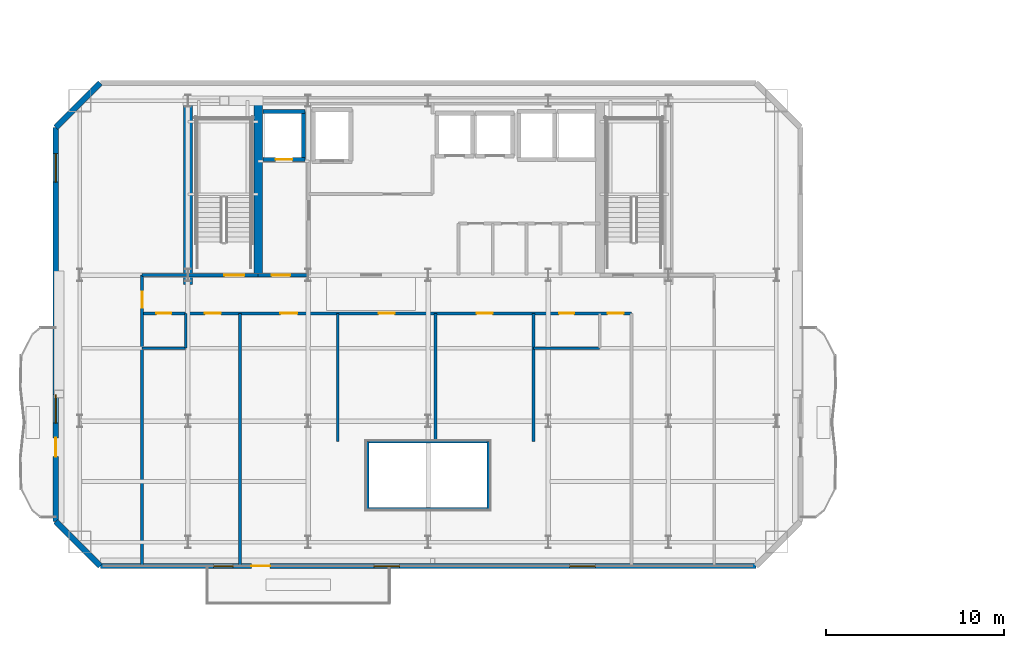
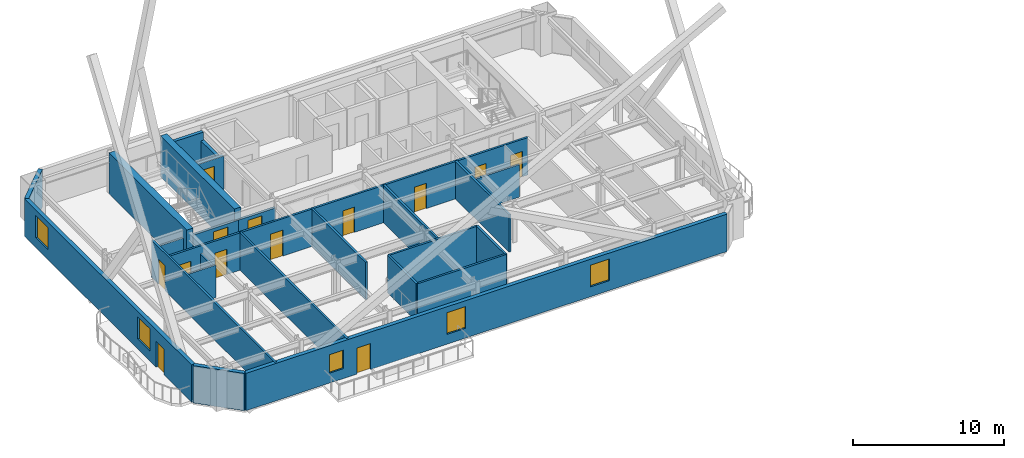
# One storey, part 10 of 19: 25 walls, 13 doors, 5 windows, 18 openings.
"""IFC4 building model written with IfcOpenShell, lengths in metres."""

from ifc_helpers import new_model, si_unit, direction, frame, frame_2d, origin, place, context, subcontext, project, spatial, rectangle, extrude, material, layer, layer_set, type_object, element, fill, save


model = new_model("IFC4")

# Units and contexts
model_context = context("Model", 3, precision=1e-05, world=origin(), true_north=direction((0.0, 1.0)))
body_context = subcontext(model_context, "Body", "Model", "MODEL_VIEW")
ifc_project = project(units=[si_unit("LENGTHUNIT", "METRE"), si_unit("AREAUNIT", "SQUARE_METRE"), si_unit("VOLUMEUNIT", "CUBIC_METRE"), si_unit("PLANEANGLEUNIT", "RADIAN"), si_unit("MASSUNIT", "GRAM", prefix="KILO")], contexts=[model_context])

# Site, building, storey
site_placement = place(None, origin())
site = spatial("IfcSite", under=ifc_project, at=site_placement, CompositionType="ELEMENT")
building_placement = place(site_placement, origin())
building = spatial("IfcBuilding", under=site, at=building_placement, Name="Haevon Station Towers", CompositionType="ELEMENT")
storey_placement = place(building_placement, frame((0.0, 0.0, 156.0)))
storey = spatial("IfcBuildingStorey", under=building, at=storey_placement, Name="L42", CompositionType="ELEMENT", Elevation=156.0)

# Wall, opening, door
ifc_material_1 = material(Name="Gypsum board on steel stud", Category="steel")
ifc_layer_1 = layer(ifc_material_1, 0.199951171875)
ifc_layer_set_1 = layer_set([ifc_layer_1], Name="Gypsum board on steel stud")
wall_type_1 = type_object("IfcWallType", Name="WL-COR200", PredefinedType="PARTITIONING", material=ifc_layer_set_1)
wall_1_placement = place(storey_placement, frame((24.0, 38.199951171875, 0.0), z_axis=(0.0, 0.0, 1.0), x_axis=(1.0, 0.0, 0.0)))
wall_1 = element("IfcWall", 1, at=wall_1_placement, inside=storey, type_object=wall_type_1, Name="WL-ST-ST1-L42", PredefinedType="PARTITIONING", context=body_context, shape_type="SweptSolid", body=[
    extrude(rectangle(XDim=3.949951171875, YDim=0.199951171875, at=frame_2d((1.97509765625, 0.0))), origin(), (0.0, 0.0, 1.0), 2.3798828125),
])
opening_1_placement = place(wall_1_placement, frame((2.050048828125, 0.0, 0.0)))
opening_1 = element("IfcOpeningElement", 2, at=opening_1_placement, cuts=wall_1, Name="Opening DR-ST-ST1-L42", PredefinedType="OPENING", context=body_context, shape_type="SweptSolid", body=[
    extrude(rectangle(XDim=1.1201171875, YDim=2.10009765625, at=frame_2d((0.56005859375, 1.050048828125))), frame((0.0, 0.10986328125, 0.0), z_axis=(0.0, -1.0, 0.0), x_axis=(1.0, 0.0, 0.0)), (0.0, 0.0, 1.0), 0.219970703125),
])
ifc_material_2 = material(Name="Engineered oak timber", Category="wood")
door_type_1 = type_object("IfcDoorType", Name="DR-ST-1120", OperationType="NOTDEFINED", PredefinedType="DOOR", material=ifc_material_2)
door_1_placement = place(opening_1_placement, origin())
door_1 = element("IfcDoor", 3, at=door_1_placement, inside=storey, type_object=door_type_1, Name="L42 Escape Stair ST1 Fire Door", OperationType="SINGLE_SWING_LEFT", OverallHeight=2.10009765625, OverallWidth=1.1201171875, PredefinedType="DOOR", context=body_context, shape_type="SweptSolid", body=[
    extrude(rectangle(XDim=1.1201171875, YDim=2.10009765625, at=frame_2d((0.56005859375, 1.050048828125))), frame((0.0, 0.02490234375, 0.0), z_axis=(0.0, -1.0, 0.0), x_axis=(1.0, 0.0, 0.0)), (0.0, 0.0, 1.0), 0.050048828125),
])
fill(opening_1, door_1)

wall_2_placement = place(storey_placement, frame((27.949951171875, 38.199951171875, 0.0), z_axis=(0.0, 0.0, 1.0), x_axis=(1.0, 0.0, 0.0)))
wall_2 = element("IfcWall", 4, at=wall_2_placement, inside=storey, type_object=wall_type_1, Name="WL-T1FFL-L42-S", PredefinedType="PARTITIONING", context=body_context, shape_type="SweptSolid", body=[
    extrude(rectangle(XDim=2.85009765625, YDim=0.199951171875, at=frame_2d((1.425048828125, 0.0))), origin(), (0.0, 0.0, 1.0), 2.3798828125),
])
opening_2_placement = place(wall_2_placement, frame((0.75, 0.0, 0.0)))
opening_2 = element("IfcOpeningElement", 5, at=opening_2_placement, cuts=wall_2, Name="Opening DR-T1FFL-L42-S", PredefinedType="OPENING", context=body_context, shape_type="SweptSolid", body=[
    extrude(rectangle(XDim=1.050048828125, YDim=2.10009765625, at=frame_2d((0.52490234375, 1.050048828125))), frame((0.0, 0.10986328125, 0.0), z_axis=(0.0, -1.0, 0.0), x_axis=(1.0, 0.0, 0.0)), (0.0, 0.0, 1.0), 0.219970703125),
])
door_type_2 = type_object("IfcDoorType", Name="DR-FD60-1050", OperationType="NOTDEFINED", PredefinedType="DOOR", material=ifc_material_2)
door_2_placement = place(opening_2_placement, origin())
door_2 = element("IfcDoor", 6, at=door_2_placement, inside=storey, type_object=door_type_2, Name="L42 Tower 1 Firefighting Lift Lobby Door S", OperationType="SINGLE_SWING_RIGHT", OverallHeight=2.10009765625, OverallWidth=1.050048828125, PredefinedType="DOOR", context=body_context, shape_type="SweptSolid", body=[
    extrude(rectangle(XDim=1.050048828125, YDim=2.10009765625, at=frame_2d((0.52490234375, 1.050048828125))), frame((0.0, 0.02490234375, 0.0), z_axis=(0.0, -1.0, 0.0), x_axis=(1.0, 0.0, 0.0)), (0.0, 0.0, 1.0), 0.050048828125),
])
fill(opening_2, door_2)

# Walls
ifc_material_3 = material(Name="Concrete C60/75", Category="concrete")
ifc_layer_2 = layer(ifc_material_3, 0.5)
ifc_layer_set_2 = layer_set([ifc_layer_2], Name="Concrete C60/75")
wall_type_2 = type_object("IfcWallType", Name="WL-CR500", PredefinedType="SHEAR", material=ifc_layer_set_2)
wall_3_placement = place(storey_placement, frame((24.0, 37.679931640625, 0.0), z_axis=(0.0, 0.0, 1.0), x_axis=(0.0, 1.0, 0.0)))
element("IfcWall", 7, at=wall_3_placement, inside=storey, type_object=wall_type_2, Name="WL-T1CR-L42-W", PredefinedType="SHEAR", context=body_context, shape_type="SweptSolid", body=[
    extrude(rectangle(XDim=10.320068359375, YDim=0.5, at=frame_2d((5.16015625, 0.0))), origin(), (0.0, 0.0, 1.0), 3.300048828125),
])
wall_4_placement = place(storey_placement, frame((27.949951171875, 38.199951171875, 0.0), z_axis=(0.0, 0.0, 1.0), x_axis=(0.0, 1.0, 0.0)))
element("IfcWall", 8, at=wall_4_placement, inside=storey, type_object=wall_type_2, Name="WL-T1CR-L42-M1", PredefinedType="SHEAR", context=body_context, shape_type="SweptSolid", body=[
    extrude(rectangle(XDim=9.800048828125, YDim=0.5, at=frame_2d((4.89990234375, 0.0))), origin(), (0.0, 0.0, 1.0), 3.300048828125),
])

# Wall, openings, door, windows
ifc_material_4 = material(Name="Precast concrete C45/55", Category="concrete")
ifc_layer_3 = layer(ifc_material_4, 0.300048828125)
ifc_layer_set_3 = layer_set([ifc_layer_3], Name="Precast concrete C45/55")
wall_type_3 = type_object("IfcWallType", Name="WL-EXT-PIER300", PredefinedType="SOLIDWALL", material=ifc_layer_set_3)
wall_5_placement = place(storey_placement, frame((55.925048828125, 21.85009765625, 0.0), z_axis=(0.0, 0.0, 1.0), x_axis=(-1.0, 0.0, 0.0)))
wall_5 = element("IfcWall", 9, at=wall_5_placement, inside=storey, type_object=wall_type_3, Name="WL-T1-L42-S", PredefinedType="SOLIDWALL", context=body_context, shape_type="SweptSolid", body=[
    extrude(rectangle(XDim=36.85009765625, YDim=0.300048828125, at=frame_2d((18.425048828125, 0.0))), origin(), (0.0, 0.0, 1.0), 3.030029296875),
])
opening_3_placement = place(wall_5_placement, frame((27.3056640625, 0.0, 0.0)))
opening_3 = element("IfcOpeningElement", 10, at=opening_3_placement, cuts=wall_5, Name="Opening DR-T1-PBAND-L42-1", PredefinedType="OPENING", context=body_context, shape_type="SweptSolid", body=[
    extrude(rectangle(XDim=1.050048828125, YDim=2.10009765625, at=frame_2d((0.52490234375, 1.050048828125))), frame((0.0, 0.159912109375, 0.0), z_axis=(0.0, -1.0, 0.0), x_axis=(1.0, 0.0, 0.0)), (0.0, 0.0, 1.0), 0.320068359375),
])
opening_4_placement = place(wall_5_placement, frame((29.381103515625, 0.0, 0.800048828125)))
opening_4 = element("IfcOpeningElement", 11, at=opening_4_placement, cuts=wall_5, Name="Opening WN-COR110", PredefinedType="OPENING", context=body_context, shape_type="SweptSolid", body=[
    extrude(rectangle(XDim=1.10009765625, YDim=1.5, at=frame_2d((0.550048828125, 0.75))), frame((0.0, 0.159912109375, 0.0), z_axis=(0.0, -1.0, 0.0), x_axis=(1.0, 0.0, 0.0)), (0.0, 0.0, 1.0), 0.320068359375),
])
opening_5_placement = place(wall_5_placement, frame((20.027587890625, 0.0, 0.800048828125)))
opening_5 = element("IfcOpeningElement", 12, at=opening_5_placement, cuts=wall_5, Name="Opening WN-P145", PredefinedType="OPENING", context=body_context, shape_type="SweptSolid", body=[
    extrude(rectangle(XDim=1.449951171875, YDim=1.75, at=frame_2d((0.72509765625, 0.875))), frame((0.0, 0.159912109375, 0.0), z_axis=(0.0, -1.0, 0.0), x_axis=(1.0, 0.0, 0.0)), (0.0, 0.0, 1.0), 0.320068359375),
])
opening_6_placement = place(wall_5_placement, frame((9.029541015625, 0.0, 0.800048828125)))
opening_6 = element("IfcOpeningElement", 13, at=opening_6_placement, cuts=wall_5, Name="Opening WN-P145", PredefinedType="OPENING", context=body_context, shape_type="SweptSolid", body=[
    extrude(rectangle(XDim=1.449951171875, YDim=1.75, at=frame_2d((0.72509765625, 0.875))), frame((0.0, 0.159912109375, 0.0), z_axis=(0.0, -1.0, 0.0), x_axis=(1.0, 0.0, 0.0)), (0.0, 0.0, 1.0), 0.320068359375),
])
ifc_material_5 = material(Name="Thermally broken anodised aluminium and laminated safety glass", Category="aluminium")
door_type_3 = type_object("IfcDoorType", Name="DR-BALC-1050", OperationType="NOTDEFINED", PredefinedType="DOOR", material=ifc_material_5)
door_3_placement = place(opening_3_placement, origin())
door_3 = element("IfcDoor", 14, at=door_3_placement, inside=storey, type_object=door_type_3, Name="Tower 1 L42 Balcony Terrace Door", OperationType="SINGLE_SWING_RIGHT", OverallHeight=2.10009765625, OverallWidth=1.050048828125, PredefinedType="DOOR", context=body_context, shape_type="SweptSolid", body=[
    extrude(rectangle(XDim=1.050048828125, YDim=2.10009765625, at=frame_2d((0.52490234375, 1.050048828125))), frame((0.0, 0.02490234375, 0.0), z_axis=(0.0, -1.0, 0.0), x_axis=(1.0, 0.0, 0.0)), (0.0, 0.0, 1.0), 0.050048828125),
])
fill(opening_3, door_3)
ifc_material_6 = material(Name="Low-E triple glazing in thermally broken aluminium", Category="aluminium")
window_type_1 = type_object("IfcWindowType", Name="WN-COR110", PartitioningType="SINGLE_PANEL", PredefinedType="WINDOW", material=ifc_material_6)
window_1_placement = place(opening_4_placement, origin())
window_1 = element("IfcWindow", 15, at=window_1_placement, inside=storey, type_object=window_type_1, Name="WN-T1-L42-S01", OverallHeight=1.5, OverallWidth=1.10009765625, PartitioningType="SINGLE_PANEL", PredefinedType="WINDOW", context=body_context, shape_type="SweptSolid", body=[
    extrude(rectangle(XDim=1.10009765625, YDim=1.5, at=frame_2d((0.550048828125, 0.75))), frame((0.0, 0.030029296875, 0.0), z_axis=(0.0, -1.0, 0.0), x_axis=(1.0, 0.0, 0.0)), (0.0, 0.0, 1.0), 0.06005859375),
])
fill(opening_4, window_1)
window_type_2 = type_object("IfcWindowType", Name="WN-P145", PartitioningType="SINGLE_PANEL", PredefinedType="WINDOW", material=ifc_material_6)
window_2_placement = place(opening_5_placement, origin())
window_2 = element("IfcWindow", 16, at=window_2_placement, inside=storey, type_object=window_type_2, Name="WN-T1-L42-S02", OverallHeight=1.75, OverallWidth=1.449951171875, PartitioningType="SINGLE_PANEL", PredefinedType="WINDOW", context=body_context, shape_type="SweptSolid", body=[
    extrude(rectangle(XDim=1.449951171875, YDim=1.75, at=frame_2d((0.72509765625, 0.875))), frame((0.0, 0.030029296875, 0.0), z_axis=(0.0, -1.0, 0.0), x_axis=(1.0, 0.0, 0.0)), (0.0, 0.0, 1.0), 0.06005859375),
])
fill(opening_5, window_2)
window_3_placement = place(opening_6_placement, origin())
window_3 = element("IfcWindow", 17, at=window_3_placement, inside=storey, type_object=window_type_2, Name="WN-T1-L42-S03", OverallHeight=1.75, OverallWidth=1.449951171875, PartitioningType="SINGLE_PANEL", PredefinedType="WINDOW", context=body_context, shape_type="SweptSolid", body=[
    extrude(rectangle(XDim=1.449951171875, YDim=1.75, at=frame_2d((0.72509765625, 0.875))), frame((0.0, 0.030029296875, 0.0), z_axis=(0.0, -1.0, 0.0), x_axis=(1.0, 0.0, 0.0)), (0.0, 0.0, 1.0), 0.06005859375),
])
fill(opening_6, window_3)

# Wall
wall_6_placement = place(storey_placement, frame((19.074951171875, 21.85009765625, 0.0), z_axis=(0.0, 0.0, 1.0), x_axis=(-0.707106781187, 0.707106781187, 0.0)))
element("IfcWall", 18, at=wall_6_placement, inside=storey, type_object=wall_type_3, Name="WL-T1-L42-SWC", PredefinedType="SOLIDWALL", context=body_context, shape_type="SweptSolid", body=[
    extrude(rectangle(XDim=3.53564453125, YDim=0.300048828125, at=frame_2d((1.767822265625, 0.0))), origin(), (0.0, 0.0, 1.0), 3.030029296875),
])

# Wall, openings, door, windows
wall_7_placement = place(storey_placement, frame((16.574951171875, 24.35009765625, 0.0), z_axis=(0.0, 0.0, 1.0), x_axis=(0.0, 1.0, 0.0)))
wall_7 = element("IfcWall", 19, at=wall_7_placement, inside=storey, type_object=wall_type_3, Name="WL-T1-L42-W", PredefinedType="SOLIDWALL", context=body_context, shape_type="SweptSolid", body=[
    extrude(rectangle(XDim=22.14990234375, YDim=0.300048828125, at=frame_2d((11.074951171875, 0.0))), origin(), (0.0, 0.0, 1.0), 3.030029296875),
])
opening_7_placement = place(wall_7_placement, frame((3.64990234375, 0.0, 0.0)))
opening_7 = element("IfcOpeningElement", 20, at=opening_7_placement, cuts=wall_7, Name="Opening DR-T1-SCAL-L42-W", PredefinedType="OPENING", context=body_context, shape_type="SweptSolid", body=[
    extrude(rectangle(XDim=1.050048828125, YDim=2.10009765625, at=frame_2d((0.52490234375, 1.050048828125))), frame((0.0, 0.159912109375, 0.0), z_axis=(0.0, -1.0, 0.0), x_axis=(1.0, 0.0, 0.0)), (0.0, 0.0, 1.0), 0.320068359375),
])
opening_8_placement = place(wall_7_placement, frame((5.53759765625, 0.0, 0.800048828125)))
opening_8 = element("IfcOpeningElement", 21, at=opening_8_placement, cuts=wall_7, Name="Opening WN-END160", PredefinedType="OPENING", context=body_context, shape_type="SweptSolid", body=[
    extrude(rectangle(XDim=1.60009765625, YDim=1.800048828125, at=frame_2d((0.800048828125, 0.89990234375))), frame((0.0, 0.159912109375, 0.0), z_axis=(0.0, -1.0, 0.0), x_axis=(1.0, 0.0, 0.0)), (0.0, 0.0, 1.0), 0.320068359375),
])
opening_9_placement = place(wall_7_placement, frame((19.0732421875, 0.0, 0.800048828125)))
opening_9 = element("IfcOpeningElement", 22, at=opening_9_placement, cuts=wall_7, Name="Opening WN-END160", PredefinedType="OPENING", context=body_context, shape_type="SweptSolid", body=[
    extrude(rectangle(XDim=1.60009765625, YDim=1.800048828125, at=frame_2d((0.800048828125, 0.89990234375))), frame((0.0, 0.159912109375, 0.0), z_axis=(0.0, -1.0, 0.0), x_axis=(1.0, 0.0, 0.0)), (0.0, 0.0, 1.0), 0.320068359375),
])
door_4_placement = place(opening_7_placement, origin())
door_4 = element("IfcDoor", 23, at=door_4_placement, inside=storey, type_object=door_type_3, Name="Tower 1 L42 West Scalloped Balcony Door", OperationType="SINGLE_SWING_LEFT", OverallHeight=2.10009765625, OverallWidth=1.050048828125, PredefinedType="DOOR", context=body_context, shape_type="SweptSolid", body=[
    extrude(rectangle(XDim=1.050048828125, YDim=2.10009765625, at=frame_2d((0.52490234375, 1.050048828125))), frame((0.0, 0.02490234375, 0.0), z_axis=(0.0, -1.0, 0.0), x_axis=(1.0, 0.0, 0.0)), (0.0, 0.0, 1.0), 0.050048828125),
])
fill(opening_7, door_4)
window_type_3 = type_object("IfcWindowType", Name="WN-END160", PartitioningType="SINGLE_PANEL", PredefinedType="WINDOW", material=ifc_material_6)
window_4_placement = place(opening_8_placement, origin())
window_4 = element("IfcWindow", 24, at=window_4_placement, inside=storey, type_object=window_type_3, Name="WN-T1-L42-W01", OverallHeight=1.800048828125, OverallWidth=1.60009765625, PartitioningType="SINGLE_PANEL", PredefinedType="WINDOW", context=body_context, shape_type="SweptSolid", body=[
    extrude(rectangle(XDim=1.60009765625, YDim=1.800048828125, at=frame_2d((0.800048828125, 0.89990234375))), frame((0.0, 0.030029296875, 0.0), z_axis=(0.0, -1.0, 0.0), x_axis=(1.0, 0.0, 0.0)), (0.0, 0.0, 1.0), 0.06005859375),
])
fill(opening_8, window_4)
window_5_placement = place(opening_9_placement, origin())
window_5 = element("IfcWindow", 25, at=window_5_placement, inside=storey, type_object=window_type_3, Name="WN-T1-L42-W02", OverallHeight=1.800048828125, OverallWidth=1.60009765625, PartitioningType="SINGLE_PANEL", PredefinedType="WINDOW", context=body_context, shape_type="SweptSolid", body=[
    extrude(rectangle(XDim=1.60009765625, YDim=1.800048828125, at=frame_2d((0.800048828125, 0.89990234375))), frame((0.0, 0.030029296875, 0.0), z_axis=(0.0, -1.0, 0.0), x_axis=(1.0, 0.0, 0.0)), (0.0, 0.0, 1.0), 0.06005859375),
])
fill(opening_9, window_5)

# Walls
wall_8_placement = place(storey_placement, frame((16.574951171875, 46.5, 0.0), z_axis=(0.0, 0.0, 1.0), x_axis=(0.707106781187, 0.707106781187, 0.0)))
element("IfcWall", 26, at=wall_8_placement, inside=storey, type_object=wall_type_3, Name="WL-T1-L42-NWC", PredefinedType="SOLIDWALL", context=body_context, shape_type="SweptSolid", body=[
    extrude(rectangle(XDim=3.53564453125, YDim=0.300048828125, at=frame_2d((1.767822265625, 0.0))), origin(), (0.0, 0.0, 1.0), 3.030029296875),
])
ifc_layer_4 = layer(ifc_material_1, 0.125)
ifc_layer_set_4 = layer_set([ifc_layer_4], Name="Gypsum board on steel stud")
wall_type_4 = type_object("IfcWallType", Name="WL-PRT125", PredefinedType="PARTITIONING", material=ifc_layer_set_4)
wall_9_placement = place(storey_placement, frame((23.875, 34.10009765625, 0.0), z_axis=(0.0, 0.0, 1.0), x_axis=(0.0, 1.0, 0.0)))
element("IfcWall", 27, at=wall_9_placement, inside=storey, type_object=wall_type_4, Name="WL-T1PT-L42-11", PredefinedType="PARTITIONING", context=body_context, shape_type="SweptSolid", body=[
    extrude(rectangle(XDim=1.949951171875, YDim=0.125, at=frame_2d((0.97509765625, 0.0))), origin(), (0.0, 0.0, 1.0), 2.3798828125),
])
ifc_layer_5 = layer(ifc_material_1, 0.139892578125)
ifc_layer_set_5 = layer_set([ifc_layer_5], Name="Gypsum board on steel stud")
wall_type_5 = type_object("IfcWallType", Name="WL-PRT140", PredefinedType="PARTITIONING", material=ifc_layer_set_5)
wall_10_placement = place(storey_placement, frame((21.425048828125, 34.10009765625, 0.0), z_axis=(0.0, 0.0, 1.0), x_axis=(1.0, 0.0, 0.0)))
element("IfcWall", 28, at=wall_10_placement, inside=storey, type_object=wall_type_5, Name="WL-T1PT-L42-10", PredefinedType="PARTITIONING", context=body_context, shape_type="SweptSolid", body=[
    extrude(rectangle(XDim=2.449951171875, YDim=0.139892578125, at=frame_2d((1.22509765625, 0.0))), origin(), (0.0, 0.0, 1.0), 2.6298828125),
])
wall_11_placement = place(storey_placement, frame((43.4208984375, 34.10009765625, 0.0), z_axis=(0.0, 0.0, 1.0), x_axis=(1.0, 0.0, 0.0)))
element("IfcWall", 29, at=wall_11_placement, inside=storey, type_object=wall_type_5, Name="WL-T1PT-L42-18", PredefinedType="PARTITIONING", context=body_context, shape_type="SweptSolid", body=[
    extrude(rectangle(XDim=3.718994140625, YDim=0.139892578125, at=frame_2d((1.859375, 0.0))), origin(), (0.0, 0.0, 1.0), 2.6298828125),
])
ifc_layer_6 = layer(ifc_material_1, 0.159912109375)
ifc_layer_set_6 = layer_set([ifc_layer_6], Name="Gypsum board on steel stud")
wall_type_6 = type_object("IfcWallType", Name="WL-PRT160", PredefinedType="PARTITIONING", material=ifc_layer_set_6)
wall_12_placement = place(storey_placement, frame((21.425048828125, 38.199951171875, 0.0), z_axis=(0.0, 0.0, 1.0), x_axis=(1.0, 0.0, 0.0)))
element("IfcWall", 30, at=wall_12_placement, inside=storey, type_object=wall_type_6, Name="WL-T1PT-L42-02", PredefinedType="PARTITIONING", context=body_context, shape_type="SweptSolid", body=[
    extrude(rectangle(XDim=2.574951171875, YDim=0.159912109375, at=frame_2d((1.28759765625, 0.0))), origin(), (0.0, 0.0, 1.0), 2.3798828125),
])

# Wall, opening, door
wall_13_placement = place(storey_placement, frame((21.425048828125, 21.85009765625, 0.0), z_axis=(0.0, 0.0, 1.0), x_axis=(0.0, 1.0, 0.0)))
wall_13 = element("IfcWall", 31, at=wall_13_placement, inside=storey, type_object=wall_type_6, Name="WL-T1PT-L42-04", PredefinedType="PARTITIONING", context=body_context, shape_type="SweptSolid", body=[
    extrude(rectangle(XDim=16.349853515625, YDim=0.159912109375, at=frame_2d((8.1748046875, 0.0))), origin(), (0.0, 0.0, 1.0), 3.030029296875),
])
opening_10_placement = place(wall_13_placement, frame((14.52001953125, 0.0, 0.0)))
opening_10 = element("IfcOpeningElement", 32, at=opening_10_placement, cuts=wall_13, Name="Opening DR-WL-T1PT-L42-04-01", PredefinedType="OPENING", context=body_context, shape_type="SweptSolid", body=[
    extrude(rectangle(XDim=0.89990234375, YDim=2.050048828125, at=frame_2d((0.449951171875, 1.02490234375))), frame((0.0, 0.08984375, 0.0), z_axis=(0.0, -1.0, 0.0), x_axis=(1.0, 0.0, 0.0)), (0.0, 0.0, 1.0), 0.179931640625),
])
door_type_4 = type_object("IfcDoorType", Name="DR-INT-900", OperationType="NOTDEFINED", PredefinedType="DOOR", material=ifc_material_2)
door_5_placement = place(opening_10_placement, origin())
door_5 = element("IfcDoor", 33, at=door_5_placement, inside=storey, type_object=door_type_4, Name="L42 Tower 1 Room Door 4-1", OperationType="SINGLE_SWING_RIGHT", OverallHeight=2.050048828125, OverallWidth=0.89990234375, PredefinedType="DOOR", context=body_context, shape_type="SweptSolid", body=[
    extrude(rectangle(XDim=0.89990234375, YDim=2.050048828125, at=frame_2d((0.449951171875, 1.02490234375))), frame((0.0, 0.02490234375, 0.0), z_axis=(0.0, -1.0, 0.0), x_axis=(1.0, 0.0, 0.0)), (0.0, 0.0, 1.0), 0.050048828125),
])
fill(opening_10, door_5)

# Walls
for number, where, z_axis, x_axis, name in (
    (34, (34.10009765625, 25.050048828125, 0.0), (0.0, 0.0, 1.0), (1.0, 0.0, 0.0), "WL-T1PT-L42-06"),
    (35, (34.10009765625, 28.85009765625, 0.0), (0.0, 0.0, 1.0), (1.0, 0.0, 0.0), "WL-T1PT-L42-07"),
):
    element("IfcWall", number, at=place(storey_placement, frame(where, z_axis=z_axis, x_axis=x_axis)), inside=storey, type_object=wall_type_6, Name=name, PredefinedType="PARTITIONING", context=body_context, shape_type="SweptSolid", body=[
        extrude(rectangle(XDim=6.7998046875, YDim=0.159912109375, at=frame_2d((3.39990234375, 0.0))), origin(), (0.0, 0.0, 1.0), 3.030029296875),
    ])
for number, where, z_axis, x_axis, name in (
    (36, (34.10009765625, 25.050048828125, 0.0), (0.0, 0.0, 1.0), (0.0, 1.0, 0.0), "WL-T1PT-L42-08"),
    (37, (40.89990234375, 25.050048828125, 0.0), (0.0, 0.0, 1.0), (0.0, 1.0, 0.0), "WL-T1PT-L42-09"),
):
    element("IfcWall", number, at=place(storey_placement, frame(where, z_axis=z_axis, x_axis=x_axis)), inside=storey, type_object=wall_type_6, Name=name, PredefinedType="PARTITIONING", context=body_context, shape_type="SweptSolid", body=[
        extrude(rectangle(XDim=3.800048828125, YDim=0.159912109375, at=frame_2d((1.89990234375, 0.0))), origin(), (0.0, 0.0, 1.0), 3.030029296875),
    ])
wall_14_placement = place(storey_placement, frame((26.924072265625, 21.85009765625, 0.0), z_axis=(0.0, 0.0, 1.0), x_axis=(0.0, 1.0, 0.0)))
element("IfcWall", 38, at=wall_14_placement, inside=storey, type_object=wall_type_6, Name="WL-T1PT-L42-12", PredefinedType="PARTITIONING", context=body_context, shape_type="SweptSolid", body=[
    extrude(rectangle(XDim=14.199951171875, YDim=0.159912109375, at=frame_2d((7.10009765625, 0.0))), origin(), (0.0, 0.0, 1.0), 3.030029296875),
])
for number, where, z_axis, x_axis, name in (
    (39, (32.423095703125, 28.85009765625, 0.0), (0.0, 0.0, 1.0), (0.0, 1.0, 0.0), "WL-T1PT-L42-13"),
    (40, (37.922119140625, 28.85009765625, 0.0), (0.0, 0.0, 1.0), (0.0, 1.0, 0.0), "WL-T1PT-L42-14"),
    (41, (43.4208984375, 28.85009765625, 0.0), (0.0, 0.0, 1.0), (0.0, 1.0, 0.0), "WL-T1PT-L42-16"),
):
    element("IfcWall", number, at=place(storey_placement, frame(where, z_axis=z_axis, x_axis=x_axis)), inside=storey, type_object=wall_type_6, Name=name, PredefinedType="PARTITIONING", context=body_context, shape_type="SweptSolid", body=[
        extrude(rectangle(XDim=7.199951171875, YDim=0.159912109375, at=frame_2d((3.60009765625, 0.0))), origin(), (0.0, 0.0, 1.0), 3.030029296875),
    ])

# Wall, openings, doors
wall_15_placement = place(storey_placement, frame((21.425048828125, 36.050048828125, 0.0), z_axis=(0.0, 0.0, 1.0), x_axis=(1.0, 0.0, 0.0)))
wall_15 = element("IfcWall", 42, at=wall_15_placement, inside=storey, type_object=wall_type_6, Name="WL-T1PT-L42-20", PredefinedType="PARTITIONING", context=body_context, shape_type="SweptSolid", body=[
    extrude(rectangle(XDim=27.494873046875, YDim=0.159912109375, at=frame_2d((13.74755859375, 0.0))), origin(), (0.0, 0.0, 1.0), 3.030029296875),
])
opening_11_placement = place(wall_15_placement, frame((0.800048828125, 0.0, 0.0)))
opening_11 = element("IfcOpeningElement", 43, at=opening_11_placement, cuts=wall_15, Name="Opening DR-WL-T1PT-L42-20-01", PredefinedType="OPENING", context=body_context, shape_type="SweptSolid", body=[
    extrude(rectangle(XDim=0.85009765625, YDim=2.050048828125, at=frame_2d((0.425048828125, 1.02490234375))), frame((0.0, 0.08984375, 0.0), z_axis=(0.0, -1.0, 0.0), x_axis=(1.0, 0.0, 0.0)), (0.0, 0.0, 1.0), 0.179931640625),
])
opening_12_placement = place(wall_15_placement, frame((3.52392578125, 0.0, 0.0)))
opening_12 = element("IfcOpeningElement", 44, at=opening_12_placement, cuts=wall_15, Name="Opening DR-WL-T1PT-L42-20-02", PredefinedType="OPENING", context=body_context, shape_type="SweptSolid", body=[
    extrude(rectangle(XDim=0.89990234375, YDim=2.050048828125, at=frame_2d((0.449951171875, 1.02490234375))), frame((0.0, 0.08984375, 0.0), z_axis=(0.0, -1.0, 0.0), x_axis=(1.0, 0.0, 0.0)), (0.0, 0.0, 1.0), 0.179931640625),
])
opening_13_placement = place(wall_15_placement, frame((7.77392578125, 0.0, 0.0)))
opening_13 = element("IfcOpeningElement", 45, at=opening_13_placement, cuts=wall_15, Name="Opening DR-WL-T1PT-L42-20-03", PredefinedType="OPENING", context=body_context, shape_type="SweptSolid", body=[
    extrude(rectangle(XDim=0.949951171875, YDim=2.10009765625, at=frame_2d((0.47509765625, 1.050048828125))), frame((0.0, 0.08984375, 0.0), z_axis=(0.0, -1.0, 0.0), x_axis=(1.0, 0.0, 0.0)), (0.0, 0.0, 1.0), 0.179931640625),
])
opening_14_placement = place(wall_15_placement, frame((13.297119140625, 0.0, 0.0)))
opening_14 = element("IfcOpeningElement", 46, at=opening_14_placement, cuts=wall_15, Name="Opening DR-WL-T1PT-L42-20-04", PredefinedType="OPENING", context=body_context, shape_type="SweptSolid", body=[
    extrude(rectangle(XDim=0.89990234375, YDim=2.050048828125, at=frame_2d((0.449951171875, 1.02490234375))), frame((0.0, 0.08984375, 0.0), z_axis=(0.0, -1.0, 0.0), x_axis=(1.0, 0.0, 0.0)), (0.0, 0.0, 1.0), 0.179931640625),
])
opening_15_placement = place(wall_15_placement, frame((18.7958984375, 0.0, 0.0)))
opening_15 = element("IfcOpeningElement", 47, at=opening_15_placement, cuts=wall_15, Name="Opening DR-WL-T1PT-L42-20-05", PredefinedType="OPENING", context=body_context, shape_type="SweptSolid", body=[
    extrude(rectangle(XDim=0.89990234375, YDim=2.050048828125, at=frame_2d((0.449951171875, 1.02490234375))), frame((0.0, 0.08984375, 0.0), z_axis=(0.0, -1.0, 0.0), x_axis=(1.0, 0.0, 0.0)), (0.0, 0.0, 1.0), 0.179931640625),
])
opening_16_placement = place(wall_15_placement, frame((23.430908203125, 0.0, 0.0)))
opening_16 = element("IfcOpeningElement", 48, at=opening_16_placement, cuts=wall_15, Name="Opening DR-WL-T1PT-L42-20-06", PredefinedType="OPENING", context=body_context, shape_type="SweptSolid", body=[
    extrude(rectangle(XDim=0.85009765625, YDim=2.050048828125, at=frame_2d((0.425048828125, 1.02490234375))), frame((0.0, 0.08984375, 0.0), z_axis=(0.0, -1.0, 0.0), x_axis=(1.0, 0.0, 0.0)), (0.0, 0.0, 1.0), 0.179931640625),
])
opening_17_placement = place(wall_15_placement, frame((26.155029296875, 0.0, 0.0)))
opening_17 = element("IfcOpeningElement", 49, at=opening_17_placement, cuts=wall_15, Name="Opening DR-WL-T1PT-L42-20-07", PredefinedType="OPENING", context=body_context, shape_type="SweptSolid", body=[
    extrude(rectangle(XDim=0.89990234375, YDim=2.050048828125, at=frame_2d((0.449951171875, 1.02490234375))), frame((0.0, 0.08984375, 0.0), z_axis=(0.0, -1.0, 0.0), x_axis=(1.0, 0.0, 0.0)), (0.0, 0.0, 1.0), 0.179931640625),
])
door_type_5 = type_object("IfcDoorType", Name="DR-FD30-850", OperationType="NOTDEFINED", PredefinedType="DOOR", material=ifc_material_2)
door_6_placement = place(opening_11_placement, origin())
door_6 = element("IfcDoor", 50, at=door_6_placement, inside=storey, type_object=door_type_5, Name="L42 Tower 1 Room Door 20-1", OperationType="SINGLE_SWING_RIGHT", OverallHeight=2.050048828125, OverallWidth=0.85009765625, PredefinedType="DOOR", context=body_context, shape_type="SweptSolid", body=[
    extrude(rectangle(XDim=0.85009765625, YDim=2.050048828125, at=frame_2d((0.425048828125, 1.02490234375))), frame((0.0, 0.02490234375, 0.0), z_axis=(0.0, -1.0, 0.0), x_axis=(1.0, 0.0, 0.0)), (0.0, 0.0, 1.0), 0.050048828125),
])
fill(opening_11, door_6)
door_7_placement = place(opening_16_placement, origin())
door_7 = element("IfcDoor", 51, at=door_7_placement, inside=storey, type_object=door_type_5, Name="L42 Tower 1 Room Door 20-6", OperationType="SINGLE_SWING_LEFT", OverallHeight=2.050048828125, OverallWidth=0.85009765625, PredefinedType="DOOR", context=body_context, shape_type="SweptSolid", body=[
    extrude(rectangle(XDim=0.85009765625, YDim=2.050048828125, at=frame_2d((0.425048828125, 1.02490234375))), frame((0.0, 0.02490234375, 0.0), z_axis=(0.0, -1.0, 0.0), x_axis=(1.0, 0.0, 0.0)), (0.0, 0.0, 1.0), 0.050048828125),
])
fill(opening_16, door_7)
door_type_6 = type_object("IfcDoorType", Name="DR-FD30-950", OperationType="NOTDEFINED", PredefinedType="DOOR", material=ifc_material_2)
door_8_placement = place(opening_13_placement, origin())
door_8 = element("IfcDoor", 52, at=door_8_placement, inside=storey, type_object=door_type_6, Name="L42 Tower 1 Room Door 20-3", OperationType="SINGLE_SWING_RIGHT", OverallHeight=2.10009765625, OverallWidth=0.949951171875, PredefinedType="DOOR", context=body_context, shape_type="SweptSolid", body=[
    extrude(rectangle(XDim=0.949951171875, YDim=2.10009765625, at=frame_2d((0.47509765625, 1.050048828125))), frame((0.0, 0.02490234375, 0.0), z_axis=(0.0, -1.0, 0.0), x_axis=(1.0, 0.0, 0.0)), (0.0, 0.0, 1.0), 0.050048828125),
])
fill(opening_13, door_8)
door_9_placement = place(opening_12_placement, origin())
door_9 = element("IfcDoor", 53, at=door_9_placement, inside=storey, type_object=door_type_4, Name="L42 Tower 1 Room Door 20-2", OperationType="SINGLE_SWING_LEFT", OverallHeight=2.050048828125, OverallWidth=0.89990234375, PredefinedType="DOOR", context=body_context, shape_type="SweptSolid", body=[
    extrude(rectangle(XDim=0.89990234375, YDim=2.050048828125, at=frame_2d((0.449951171875, 1.02490234375))), frame((0.0, 0.02490234375, 0.0), z_axis=(0.0, -1.0, 0.0), x_axis=(1.0, 0.0, 0.0)), (0.0, 0.0, 1.0), 0.050048828125),
])
fill(opening_12, door_9)
door_10_placement = place(opening_14_placement, origin())
door_10 = element("IfcDoor", 54, at=door_10_placement, inside=storey, type_object=door_type_4, Name="L42 Tower 1 Room Door 20-4", OperationType="SINGLE_SWING_LEFT", OverallHeight=2.050048828125, OverallWidth=0.89990234375, PredefinedType="DOOR", context=body_context, shape_type="SweptSolid", body=[
    extrude(rectangle(XDim=0.89990234375, YDim=2.050048828125, at=frame_2d((0.449951171875, 1.02490234375))), frame((0.0, 0.02490234375, 0.0), z_axis=(0.0, -1.0, 0.0), x_axis=(1.0, 0.0, 0.0)), (0.0, 0.0, 1.0), 0.050048828125),
])
fill(opening_14, door_10)
door_11_placement = place(opening_15_placement, origin())
door_11 = element("IfcDoor", 55, at=door_11_placement, inside=storey, type_object=door_type_4, Name="L42 Tower 1 Room Door 20-5", OperationType="SINGLE_SWING_RIGHT", OverallHeight=2.050048828125, OverallWidth=0.89990234375, PredefinedType="DOOR", context=body_context, shape_type="SweptSolid", body=[
    extrude(rectangle(XDim=0.89990234375, YDim=2.050048828125, at=frame_2d((0.449951171875, 1.02490234375))), frame((0.0, 0.02490234375, 0.0), z_axis=(0.0, -1.0, 0.0), x_axis=(1.0, 0.0, 0.0)), (0.0, 0.0, 1.0), 0.050048828125),
])
fill(opening_15, door_11)
door_12_placement = place(opening_17_placement, origin())
door_12 = element("IfcDoor", 56, at=door_12_placement, inside=storey, type_object=door_type_4, Name="L42 Tower 1 Room Door 20-7", OperationType="SINGLE_SWING_RIGHT", OverallHeight=2.050048828125, OverallWidth=0.89990234375, PredefinedType="DOOR", context=body_context, shape_type="SweptSolid", body=[
    extrude(rectangle(XDim=0.89990234375, YDim=2.050048828125, at=frame_2d((0.449951171875, 1.02490234375))), frame((0.0, 0.02490234375, 0.0), z_axis=(0.0, -1.0, 0.0), x_axis=(1.0, 0.0, 0.0)), (0.0, 0.0, 1.0), 0.050048828125),
])
fill(opening_17, door_12)

# Wall, opening, door
ifc_material_7 = material(Name="Concrete C40/50", Category="concrete")
ifc_layer_7 = layer(ifc_material_7, 0.239990234375)
ifc_layer_set_7 = layer_set([ifc_layer_7], Name="Concrete C40/50")
wall_type_7 = type_object("IfcWallType", Name="WL-SHF240", PredefinedType="PARTITIONING", material=ifc_layer_set_7)
wall_16_placement = place(storey_placement, frame((28.219970703125, 44.699951171875, 0.0), z_axis=(0.0, 0.0, 1.0), x_axis=(1.0, 0.0, 0.0)))
wall_16 = element("IfcWall", 57, at=wall_16_placement, inside=storey, type_object=wall_type_7, Name="WL-SHF-FL1-L42", PredefinedType="PARTITIONING", context=body_context, shape_type="SweptSolid", body=[
    extrude(rectangle(XDim=2.360107421875, YDim=0.239990234375, at=frame_2d((1.18017578125, 0.0))), origin(), (0.0, 0.0, 1.0), 2.72998046875),
])
opening_18_placement = place(wall_16_placement, frame((0.705078125, 0.0, 0.0)))
opening_18 = element("IfcOpeningElement", 58, at=opening_18_placement, cuts=wall_16, Name="Opening LD-FL1-L42", PredefinedType="OPENING", context=body_context, shape_type="SweptSolid", body=[
    extrude(rectangle(XDim=0.949951171875, YDim=2.14990234375, at=frame_2d((0.47509765625, 1.074951171875))), frame((0.0, 0.1298828125, 0.0), z_axis=(0.0, -1.0, 0.0), x_axis=(1.0, 0.0, 0.0)), (0.0, 0.0, 1.0), 0.260009765625),
])
ifc_material_8 = material(Name="Stainless steel and rated core", Category="steel")
door_type_7 = type_object("IfcDoorType", Name="LD-FL950", OperationType="SLIDING_TO_LEFT", PredefinedType="DOOR", material=ifc_material_8)
door_13_placement = place(opening_18_placement, origin())
door_13 = element("IfcDoor", 59, at=door_13_placement, inside=storey, type_object=door_type_7, Name="L42 Lift FL1 Sliding Landing Door", OperationType="SLIDING_TO_LEFT", OverallHeight=2.14990234375, OverallWidth=0.949951171875, PredefinedType="DOOR", context=body_context, shape_type="SweptSolid", body=[
    extrude(rectangle(XDim=0.949951171875, YDim=2.14990234375, at=frame_2d((0.47509765625, 1.074951171875))), frame((0.0, 0.02490234375, 0.0), z_axis=(0.0, -1.0, 0.0), x_axis=(1.0, 0.0, 0.0)), (0.0, 0.0, 1.0), 0.050048828125),
])
fill(opening_18, door_13)

# Walls
wall_17_placement = place(storey_placement, frame((28.219970703125, 47.39990234375, 0.0), z_axis=(0.0, 0.0, 1.0), x_axis=(1.0, 0.0, 0.0)))
element("IfcWall", 60, at=wall_17_placement, inside=storey, type_object=wall_type_7, Name="WL-SHF-FL1-L42-N", PredefinedType="PARTITIONING", context=body_context, shape_type="SweptSolid", body=[
    extrude(rectangle(XDim=2.360107421875, YDim=0.239990234375, at=frame_2d((1.18017578125, 0.0))), origin(), (0.0, 0.0, 1.0), 3.030029296875),
])
wall_18_placement = place(storey_placement, frame((30.5, 44.699951171875, 0.0), z_axis=(0.0, 0.0, 1.0), x_axis=(0.0, 1.0, 0.0)))
element("IfcWall", 61, at=wall_18_placement, inside=storey, type_object=wall_type_7, Name="WL-SHF-FL1-L42-E", PredefinedType="PARTITIONING", context=body_context, shape_type="SweptSolid", body=[
    extrude(rectangle(XDim=2.699951171875, YDim=0.239990234375, at=frame_2d((1.35009765625, 0.0))), origin(), (0.0, 0.0, 1.0), 2.3798828125),
])

save(model, "model.ifc")
